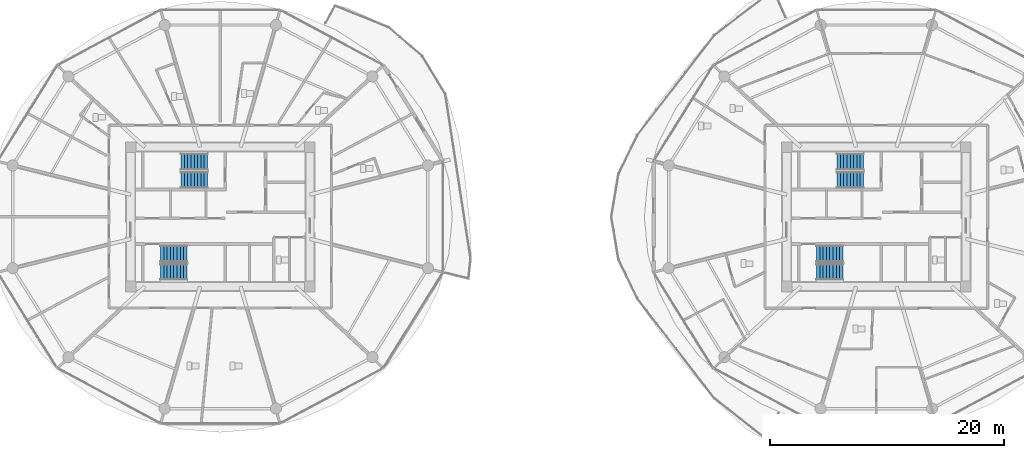
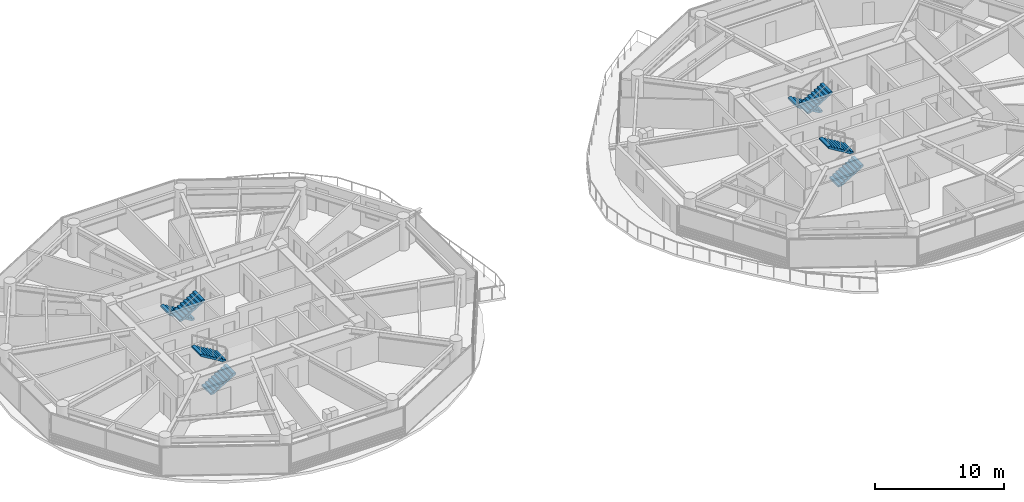
# One storey, part 21 of 26: 8 stair flights, 4 elements without a shape of their own.
"""IFC4 building model written with IfcOpenShell, lengths in metres."""

from ifc_helpers import new_model, si_unit, direction, frame, origin, place, context, subcontext, project, spatial, polyline, outline, extrude, material, type_object, element, aggregate, save


model = new_model("IFC4")

# Units and contexts
model_context = context("Model", 3, precision=1e-05, world=origin(), true_north=direction((0.0, 1.0)))
body_context = subcontext(model_context, "Body", "Model", "MODEL_VIEW")
ifc_project = project(units=[si_unit("LENGTHUNIT", "METRE"), si_unit("AREAUNIT", "SQUARE_METRE"), si_unit("VOLUMEUNIT", "CUBIC_METRE"), si_unit("PLANEANGLEUNIT", "RADIAN"), si_unit("MASSUNIT", "GRAM", prefix="KILO")], contexts=[model_context])

# Site, building, storey
site_placement = place(None, origin())
site = spatial("IfcSite", under=ifc_project, at=site_placement, CompositionType="ELEMENT")
building_placement = place(site_placement, origin())
building = spatial("IfcBuilding", under=site, at=building_placement, Name="Norrkilde Senior Care Towers", CompositionType="ELEMENT")
storey_placement = place(building_placement, frame((0.0, 0.0, 67.35009765625)))
storey = spatial("IfcBuildingStorey", under=building, at=storey_placement, Name="L20", CompositionType="ELEMENT", Elevation=67.35009765625)

# Stair, stair flights
ifc_material = material(Name="Concrete C45/55", Category="concrete")
stair_type = type_object("IfcStairType", Name="Core Protected Dogleg Stair Typical 3050", PredefinedType="HALF_TURN_STAIR", material=ifc_material)
stair_1_placement = place(storey_placement, origin())
stair_1 = element("IfcStair", 1, at=stair_1_placement, inside=storey, type_object=stair_type, Name="L20 Protected Core Stair W1", PredefinedType="HALF_TURN_STAIR")
stair_flight_type = type_object("IfcStairFlightType", Name="Core Protected Dogleg Stair Typical 3050 Flight", PredefinedType="STRAIGHT", material=ifc_material)
stair_flight_1_placement = place(storey_placement, frame((-29.10009765625, 4.699951171875, 0.0), z_axis=(0.0, 0.0, 1.0), x_axis=(-1.0, 0.0, 0.0)))
stair_flight_1 = element("IfcStairFlight", 2, at=stair_flight_1_placement, type_object=stair_flight_type, Name="ST-W1 flight 1", NumberOfRisers=9, NumberOfTreads=8, PredefinedType="STRAIGHT", RiserHeight=0.169444444, TreadLength=0.28, context=body_context, shape_type="SweptSolid", body=[
    extrude(outline(polyline([(0.0, 0.0), (0.0, 0.16943359375), (0.280029296875, 0.16943359375), (0.280029296875, 0.3388671875), (0.56005859375, 0.3388671875), (0.56005859375, 0.50830078125), (0.840087890625, 0.50830078125), (0.840087890625, 0.677734375), (1.1201171875, 0.677734375), (1.1201171875, 0.84716796875), (1.39990234375, 0.84716796875), (1.39990234375, 1.0166015625), (1.679931640625, 1.0166015625), (1.679931640625, 1.18603515625), (1.9599609375, 1.18603515625), (1.9599609375, 1.35546875), (2.239990234375, 1.35546875), (2.239990234375, 1.52490234375), (2.239990234375, 1.180419921875), (0.28955078125, 0.0), (0.0, 0.0)])), frame((0.0, 0.699951171875, 0.0), z_axis=(0.0, -1.0, 0.0), x_axis=(1.0, 0.0, 0.0)), (0.0, 0.0, 1.0), 1.39990234375),
])
stair_flight_2_placement = place(storey_placement, frame((-31.340087890625, 3.14990234375, 1.52490234375), z_axis=(0.0, 0.0, 1.0), x_axis=(1.0, 0.0, 0.0)))
stair_flight_2 = element("IfcStairFlight", 3, at=stair_flight_2_placement, type_object=stair_flight_type, Name="ST-W1 flight 2", NumberOfRisers=9, NumberOfTreads=8, PredefinedType="STRAIGHT", RiserHeight=0.169444444, TreadLength=0.28, context=body_context, shape_type="SweptSolid", body=[
    extrude(outline(polyline([(0.0, 0.0), (0.0, 0.16943359375), (0.280029296875, 0.16943359375), (0.280029296875, 0.3388671875), (0.56005859375, 0.3388671875), (0.56005859375, 0.50830078125), (0.840087890625, 0.50830078125), (0.840087890625, 0.677734375), (1.1201171875, 0.677734375), (1.1201171875, 0.84716796875), (1.39990234375, 0.84716796875), (1.39990234375, 1.0166015625), (1.679931640625, 1.0166015625), (1.679931640625, 1.18603515625), (1.9599609375, 1.18603515625), (1.9599609375, 1.35546875), (2.239990234375, 1.35546875), (2.239990234375, 1.52490234375), (2.239990234375, 1.180419921875), (0.28955078125, 0.0), (0.0, 0.0)])), frame((0.0, 0.699951171875, 0.0), z_axis=(0.0, -1.0, 0.0), x_axis=(1.0, 0.0, 0.0)), (0.0, 0.0, 1.0), 1.39990234375),
])
aggregate(stair_1, [stair_flight_1, stair_flight_2])

stair_2_placement = place(storey_placement, origin())
stair_2 = element("IfcStair", 4, at=stair_2_placement, inside=storey, type_object=stair_type, Name="L20 Protected Core Stair W2", PredefinedType="HALF_TURN_STAIR")
stair_flight_3_placement = place(storey_placement, frame((-33.10009765625, -4.699951171875, 0.0), z_axis=(0.0, 0.0, 1.0), x_axis=(1.0, 0.0, 0.0)))
stair_flight_3 = element("IfcStairFlight", 5, at=stair_flight_3_placement, type_object=stair_flight_type, Name="ST-W2 flight 1", NumberOfRisers=9, NumberOfTreads=8, PredefinedType="STRAIGHT", RiserHeight=0.169444444, TreadLength=0.28, context=body_context, shape_type="SweptSolid", body=[
    extrude(outline(polyline([(0.0, 0.0), (0.0, 0.16943359375), (0.280029296875, 0.16943359375), (0.280029296875, 0.3388671875), (0.56005859375, 0.3388671875), (0.56005859375, 0.50830078125), (0.840087890625, 0.50830078125), (0.840087890625, 0.677734375), (1.1201171875, 0.677734375), (1.1201171875, 0.84716796875), (1.39990234375, 0.84716796875), (1.39990234375, 1.0166015625), (1.679931640625, 1.0166015625), (1.679931640625, 1.18603515625), (1.9599609375, 1.18603515625), (1.9599609375, 1.35546875), (2.239990234375, 1.35546875), (2.239990234375, 1.52490234375), (2.239990234375, 1.180419921875), (0.28955078125, 0.0), (0.0, 0.0)])), frame((0.0, 0.699951171875, 0.0), z_axis=(0.0, -1.0, 0.0), x_axis=(1.0, 0.0, 0.0)), (0.0, 0.0, 1.0), 1.39990234375),
])
stair_flight_4_placement = place(storey_placement, frame((-30.860107421875, -3.14990234375, 1.52490234375), z_axis=(0.0, 0.0, 1.0), x_axis=(-1.0, 0.0, 0.0)))
stair_flight_4 = element("IfcStairFlight", 6, at=stair_flight_4_placement, type_object=stair_flight_type, Name="ST-W2 flight 2", NumberOfRisers=9, NumberOfTreads=8, PredefinedType="STRAIGHT", RiserHeight=0.169444444, TreadLength=0.28, context=body_context, shape_type="SweptSolid", body=[
    extrude(outline(polyline([(0.0, 0.0), (0.0, 0.16943359375), (0.280029296875, 0.16943359375), (0.280029296875, 0.3388671875), (0.56005859375, 0.3388671875), (0.56005859375, 0.50830078125), (0.840087890625, 0.50830078125), (0.840087890625, 0.677734375), (1.1201171875, 0.677734375), (1.1201171875, 0.84716796875), (1.39990234375, 0.84716796875), (1.39990234375, 1.0166015625), (1.679931640625, 1.0166015625), (1.679931640625, 1.18603515625), (1.9599609375, 1.18603515625), (1.9599609375, 1.35546875), (2.239990234375, 1.35546875), (2.239990234375, 1.52490234375), (2.239990234375, 1.180419921875), (0.28955078125, 0.0), (0.0, 0.0)])), frame((0.0, 0.699951171875, 0.0), z_axis=(0.0, -1.0, 0.0), x_axis=(1.0, 0.0, 0.0)), (0.0, 0.0, 1.0), 1.39990234375),
])
aggregate(stair_2, [stair_flight_3, stair_flight_4])

stair_3_placement = place(storey_placement, origin())
stair_3 = element("IfcStair", 7, at=stair_3_placement, inside=storey, type_object=stair_type, Name="L20 Protected Core Stair E1", PredefinedType="HALF_TURN_STAIR")
stair_flight_5_placement = place(storey_placement, frame((26.89990234375, 4.699951171875, 0.0), z_axis=(0.0, 0.0, 1.0), x_axis=(-1.0, 0.0, 0.0)))
stair_flight_5 = element("IfcStairFlight", 8, at=stair_flight_5_placement, type_object=stair_flight_type, Name="ST-E1 flight 1", NumberOfRisers=9, NumberOfTreads=8, PredefinedType="STRAIGHT", RiserHeight=0.169444444, TreadLength=0.28, context=body_context, shape_type="SweptSolid", body=[
    extrude(outline(polyline([(0.0, 0.0), (0.0, 0.16943359375), (0.280029296875, 0.16943359375), (0.280029296875, 0.3388671875), (0.56005859375, 0.3388671875), (0.56005859375, 0.50830078125), (0.840087890625, 0.50830078125), (0.840087890625, 0.677734375), (1.1201171875, 0.677734375), (1.1201171875, 0.84716796875), (1.39990234375, 0.84716796875), (1.39990234375, 1.0166015625), (1.679931640625, 1.0166015625), (1.679931640625, 1.18603515625), (1.9599609375, 1.18603515625), (1.9599609375, 1.35546875), (2.239990234375, 1.35546875), (2.239990234375, 1.52490234375), (2.239990234375, 1.180419921875), (0.28955078125, 0.0), (0.0, 0.0)])), frame((0.0, 0.699951171875, 0.0), z_axis=(0.0, -1.0, 0.0), x_axis=(1.0, 0.0, 0.0)), (0.0, 0.0, 1.0), 1.39990234375),
])
stair_flight_6_placement = place(storey_placement, frame((24.659912109375, 3.14990234375, 1.52490234375), z_axis=(0.0, 0.0, 1.0), x_axis=(1.0, 0.0, 0.0)))
stair_flight_6 = element("IfcStairFlight", 9, at=stair_flight_6_placement, type_object=stair_flight_type, Name="ST-E1 flight 2", NumberOfRisers=9, NumberOfTreads=8, PredefinedType="STRAIGHT", RiserHeight=0.169444444, TreadLength=0.28, context=body_context, shape_type="SweptSolid", body=[
    extrude(outline(polyline([(0.0, 0.0), (0.0, 0.16943359375), (0.280029296875, 0.16943359375), (0.280029296875, 0.3388671875), (0.56005859375, 0.3388671875), (0.56005859375, 0.50830078125), (0.840087890625, 0.50830078125), (0.840087890625, 0.677734375), (1.1201171875, 0.677734375), (1.1201171875, 0.84716796875), (1.39990234375, 0.84716796875), (1.39990234375, 1.0166015625), (1.679931640625, 1.0166015625), (1.679931640625, 1.18603515625), (1.9599609375, 1.18603515625), (1.9599609375, 1.35546875), (2.239990234375, 1.35546875), (2.239990234375, 1.52490234375), (2.239990234375, 1.180419921875), (0.28955078125, 0.0), (0.0, 0.0)])), frame((0.0, 0.699951171875, 0.0), z_axis=(0.0, -1.0, 0.0), x_axis=(1.0, 0.0, 0.0)), (0.0, 0.0, 1.0), 1.39990234375),
])
aggregate(stair_3, [stair_flight_5, stair_flight_6])

stair_4_placement = place(storey_placement, origin())
stair_4 = element("IfcStair", 10, at=stair_4_placement, inside=storey, type_object=stair_type, Name="L20 Protected Core Stair E2", PredefinedType="HALF_TURN_STAIR")
stair_flight_7_placement = place(storey_placement, frame((22.89990234375, -4.699951171875, 0.0), z_axis=(0.0, 0.0, 1.0), x_axis=(1.0, 0.0, 0.0)))
stair_flight_7 = element("IfcStairFlight", 11, at=stair_flight_7_placement, type_object=stair_flight_type, Name="ST-E2 flight 1", NumberOfRisers=9, NumberOfTreads=8, PredefinedType="STRAIGHT", RiserHeight=0.169444444, TreadLength=0.28, context=body_context, shape_type="SweptSolid", body=[
    extrude(outline(polyline([(0.0, 0.0), (0.0, 0.16943359375), (0.280029296875, 0.16943359375), (0.280029296875, 0.3388671875), (0.56005859375, 0.3388671875), (0.56005859375, 0.50830078125), (0.840087890625, 0.50830078125), (0.840087890625, 0.677734375), (1.1201171875, 0.677734375), (1.1201171875, 0.84716796875), (1.39990234375, 0.84716796875), (1.39990234375, 1.0166015625), (1.679931640625, 1.0166015625), (1.679931640625, 1.18603515625), (1.9599609375, 1.18603515625), (1.9599609375, 1.35546875), (2.239990234375, 1.35546875), (2.239990234375, 1.52490234375), (2.239990234375, 1.180419921875), (0.28955078125, 0.0), (0.0, 0.0)])), frame((0.0, 0.699951171875, 0.0), z_axis=(0.0, -1.0, 0.0), x_axis=(1.0, 0.0, 0.0)), (0.0, 0.0, 1.0), 1.39990234375),
])
stair_flight_8_placement = place(storey_placement, frame((25.139892578125, -3.14990234375, 1.52490234375), z_axis=(0.0, 0.0, 1.0), x_axis=(-1.0, 0.0, 0.0)))
stair_flight_8 = element("IfcStairFlight", 12, at=stair_flight_8_placement, type_object=stair_flight_type, Name="ST-E2 flight 2", NumberOfRisers=9, NumberOfTreads=8, PredefinedType="STRAIGHT", RiserHeight=0.169444444, TreadLength=0.28, context=body_context, shape_type="SweptSolid", body=[
    extrude(outline(polyline([(0.0, 0.0), (0.0, 0.16943359375), (0.280029296875, 0.16943359375), (0.280029296875, 0.3388671875), (0.56005859375, 0.3388671875), (0.56005859375, 0.50830078125), (0.840087890625, 0.50830078125), (0.840087890625, 0.677734375), (1.1201171875, 0.677734375), (1.1201171875, 0.84716796875), (1.39990234375, 0.84716796875), (1.39990234375, 1.0166015625), (1.679931640625, 1.0166015625), (1.679931640625, 1.18603515625), (1.9599609375, 1.18603515625), (1.9599609375, 1.35546875), (2.239990234375, 1.35546875), (2.239990234375, 1.52490234375), (2.239990234375, 1.180419921875), (0.28955078125, 0.0), (0.0, 0.0)])), frame((0.0, 0.699951171875, 0.0), z_axis=(0.0, -1.0, 0.0), x_axis=(1.0, 0.0, 0.0)), (0.0, 0.0, 1.0), 1.39990234375),
])
aggregate(stair_4, [stair_flight_7, stair_flight_8])

save(model, "model.ifc")
